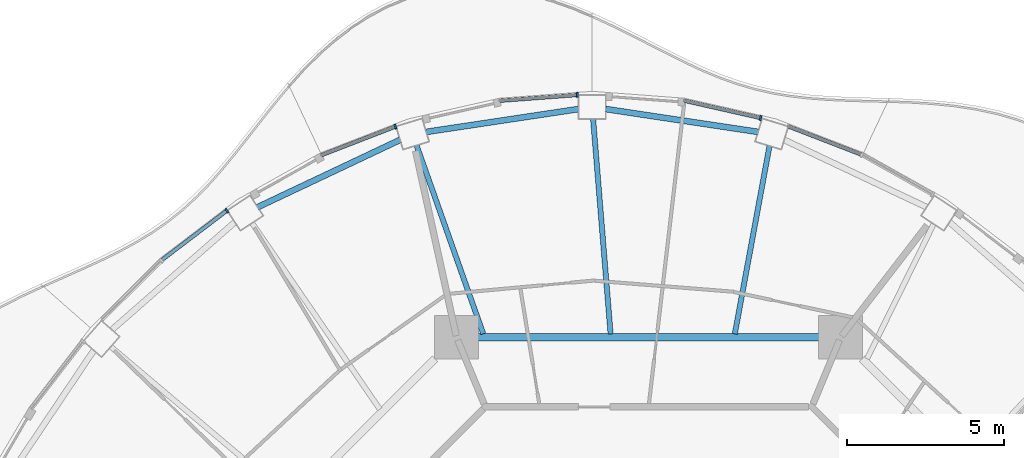
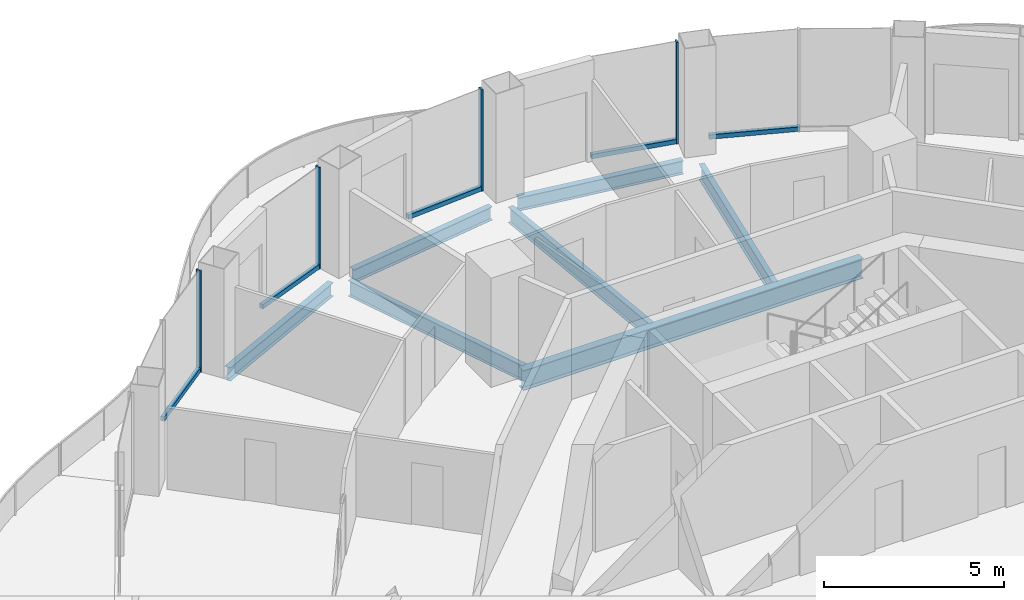
# One storey, part 6 of 17: 9 members, 7 beams, 5 elements without a shape of their own.
"""IFC4 building model written with IfcOpenShell, lengths in metres."""

from ifc_helpers import new_model, si_unit, direction, frame, origin, origin_2d, place, context, subcontext, project, spatial, rectangle, i_section, extrude, material, layer, layer_set, material_profile, profile_set, type_object, element, aggregate, save


model = new_model("IFC4")

# Units and contexts
model_context = context("Model", 3, precision=1e-05, world=origin(), true_north=direction((0.0, 1.0)))
body_context = subcontext(model_context, "Body", "Model", "MODEL_VIEW")
ifc_project = project(units=[si_unit("LENGTHUNIT", "METRE"), si_unit("AREAUNIT", "SQUARE_METRE"), si_unit("VOLUMEUNIT", "CUBIC_METRE"), si_unit("PLANEANGLEUNIT", "RADIAN"), si_unit("MASSUNIT", "GRAM", prefix="KILO")], contexts=[model_context])

# Site, building, storey
site_placement = place(None, origin())
site = spatial("IfcSite", under=ifc_project, at=site_placement, CompositionType="ELEMENT")
building_placement = place(site_placement, origin())
building = spatial("IfcBuilding", under=site, at=building_placement, Name="Nagisa Residences", CompositionType="ELEMENT")
storey_placement = place(building_placement, frame((0.0, 0.0, 280.699951171875)))
storey = spatial("IfcBuildingStorey", under=building, at=storey_placement, Name="L71", CompositionType="ELEMENT", Elevation=280.699951171875)

# Curtain wall, member
ifc_material_1 = material(Name="Concrete-coloured aluminium curtain wall system", Category="concrete")
ifc_layer = layer(ifc_material_1, 0.159912109375)
ifc_layer_set = layer_set([ifc_layer], Name="CW1 CURTAIN WALL")
curtain_wall_type = type_object("IfcCurtainWallType", Name="CW1 CURTAIN WALL", PredefinedType="NOTDEFINED", material=ifc_layer_set)
curtain_wall_1_placement = place(storey_placement, origin())
curtain_wall_1 = element("IfcCurtainWall", 1, at=curtain_wall_1_placement, inside=storey, type_object=curtain_wall_type, Name="cw:CW1:L71:10", PredefinedType="NOTDEFINED")
ifc_material_2 = material(Name="Concrete-coloured aluminium", Category="concrete")
ifc_material_profile_1 = material_profile(ifc_material_2, rectangle(XDim=0.159912109375, YDim=0.06005859375, at=origin_2d()), Name="CW1 MULLION 160x60")
ifc_profile_set_1 = profile_set([ifc_material_profile_1], Name="Concrete-coloured aluminium")
member_type_1 = type_object("IfcMemberType", Name="CW1 MULLION 160x60", PredefinedType="MULLION", material=ifc_profile_set_1)
member_1_placement = place(storey_placement, frame((3.568603515625, 21.773193359375, 0.0), z_axis=(0.0, 0.0, 1.0), x_axis=(-0.2207639201, -0.975327274089, 0.0)))
member_1 = element("IfcMember", 2, at=member_1_placement, type_object=member_type_1, Name="CW1 mullion", PredefinedType="MULLION", context=body_context, shape_type="SweptSolid", body=[
    extrude(rectangle(XDim=0.159912109375, YDim=0.06005859375, at=origin_2d()), origin(), (0.0, 0.0, 1.0), 3.43994140625),
])

curtain_wall_2_placement = place(storey_placement, origin())
curtain_wall_2 = element("IfcCurtainWall", 3, at=curtain_wall_2_placement, inside=storey, type_object=curtain_wall_type, Name="cw:CW1:L71:12", PredefinedType="NOTDEFINED")
member_2_placement = place(storey_placement, frame((-2.272705078125, 22.5068359375, 0.0), z_axis=(0.0, 0.0, 1.0), x_axis=(0.074377355493, -0.997230168512, 0.0)))
member_2 = element("IfcMember", 4, at=member_2_placement, type_object=member_type_1, Name="CW1 mullion", PredefinedType="MULLION", context=body_context, shape_type="SweptSolid", body=[
    extrude(rectangle(XDim=0.159912109375, YDim=0.06005859375, at=origin_2d()), origin(), (0.0, 0.0, 1.0), 3.43994140625),
])

curtain_wall_3_placement = place(storey_placement, origin())
curtain_wall_3 = element("IfcCurtainWall", 5, at=curtain_wall_3_placement, inside=storey, type_object=curtain_wall_type, Name="cw:CW1:L71:14", PredefinedType="NOTDEFINED")
member_3_placement = place(storey_placement, frame((-8.073486328125, 21.49755859375, 0.0), z_axis=(0.0, 0.0, 1.0), x_axis=(0.360327770268, -0.932825759707, 0.0)))
member_3 = element("IfcMember", 6, at=member_3_placement, type_object=member_type_1, Name="CW1 mullion", PredefinedType="MULLION", context=body_context, shape_type="SweptSolid", body=[
    extrude(rectangle(XDim=0.159912109375, YDim=0.06005859375, at=origin_2d()), origin(), (0.0, 0.0, 1.0), 3.43994140625),
])

curtain_wall_4_placement = place(storey_placement, origin())
curtain_wall_4 = element("IfcCurtainWall", 7, at=curtain_wall_4_placement, inside=storey, type_object=curtain_wall_type, Name="cw:CW1:L71:16", PredefinedType="NOTDEFINED")
member_4_placement = place(storey_placement, frame((-13.443603515625, 18.819580078125, 0.0), z_axis=(0.0, 0.0, 1.0), x_axis=(0.605255421737, -0.79603132756, 0.0)))
member_4 = element("IfcMember", 8, at=member_4_placement, type_object=member_type_1, Name="CW1 mullion", PredefinedType="MULLION", context=body_context, shape_type="SweptSolid", body=[
    extrude(rectangle(XDim=0.159912109375, YDim=0.06005859375, at=origin_2d()), origin(), (0.0, 0.0, 1.0), 3.43994140625),
])

curtain_wall_5_placement = place(storey_placement, origin())
curtain_wall_5 = element("IfcCurtainWall", 9, at=curtain_wall_5_placement, inside=storey, type_object=curtain_wall_type, Name="cw:CW1:L71:09", PredefinedType="NOTDEFINED")
ifc_material_3 = material(Name="Concrete-coloured aluminium", Category="concrete")
ifc_material_profile_2 = material_profile(ifc_material_3, rectangle(XDim=0.1201171875, YDim=0.14990234375, at=origin_2d()), Name="CW1 TRANSOM 120x150")
ifc_profile_set_2 = profile_set([ifc_material_profile_2], Name="Concrete-coloured aluminium")
member_type_2 = type_object("IfcMemberType", Name="CW1 TRANSOM 120x150", PredefinedType="USERDEFINED", material=ifc_profile_set_2)
member_5_placement = place(storey_placement, frame((6.827392578125, 20.58837890625, 0.074951171875), z_axis=(-0.93282223778, 0.360336887792, 0.0), x_axis=(-0.360336887792, -0.93282223778, 0.0)))
member_5 = element("IfcMember", 10, at=member_5_placement, type_object=member_type_2, Name="CW1 transom", ObjectType="TRANSOM", PredefinedType="USERDEFINED", context=body_context, shape_type="SweptSolid", body=[
    extrude(rectangle(XDim=0.1201171875, YDim=0.14990234375, at=origin_2d()), origin(), (0.0, 0.0, 1.0), 2.5537109375),
])
aggregate(curtain_wall_5, [member_5])

# Member
member_6_placement = place(storey_placement, frame((3.597900390625, 21.7666015625, 0.074951171875), z_axis=(-0.975340398222, 0.220705930136, 0.0), x_axis=(-0.220705930136, -0.975340398222, 0.0)))
member_6 = element("IfcMember", 11, at=member_6_placement, type_object=member_type_2, Name="CW1 transom", ObjectType="TRANSOM", PredefinedType="USERDEFINED", context=body_context, shape_type="SweptSolid", body=[
    extrude(rectangle(XDim=0.1201171875, YDim=0.14990234375, at=origin_2d()), origin(), (0.0, 0.0, 1.0), 2.525390625),
])

aggregate(curtain_wall_1, [member_1, member_6])

member_7_placement = place(storey_placement, frame((-2.242919921875, 22.509033203125, 0.074951171875), z_axis=(-0.99722914645, -0.074391057731, 0.0), x_axis=(0.074391057731, -0.99722914645, 0.0)))
member_7 = element("IfcMember", 12, at=member_7_placement, type_object=member_type_2, Name="CW1 transom", ObjectType="TRANSOM", PredefinedType="USERDEFINED", context=body_context, shape_type="SweptSolid", body=[
    extrude(rectangle(XDim=0.1201171875, YDim=0.14990234375, at=origin_2d()), origin(), (0.0, 0.0, 1.0), 2.510498046875),
])

aggregate(curtain_wall_2, [member_2, member_7])

member_8_placement = place(storey_placement, frame((-8.04541015625, 21.508544921875, 0.074951171875), z_axis=(-0.93282223778, -0.360336887792, 0.0), x_axis=(0.360336887792, -0.93282223778, 0.0)))
member_8 = element("IfcMember", 13, at=member_8_placement, type_object=member_type_2, Name="CW1 transom", ObjectType="TRANSOM", PredefinedType="USERDEFINED", context=body_context, shape_type="SweptSolid", body=[
    extrude(rectangle(XDim=0.1201171875, YDim=0.14990234375, at=origin_2d()), origin(), (0.0, 0.0, 1.0), 2.5537109375),
])

aggregate(curtain_wall_3, [member_3, member_8])

member_9_placement = place(storey_placement, frame((-13.419677734375, 18.837646484375, 0.074951171875), z_axis=(-0.796055284084, -0.605223912847, 0.0), x_axis=(0.605223912847, -0.796055284084, 0.0)))
member_9 = element("IfcMember", 14, at=member_9_placement, type_object=member_type_2, Name="CW1 transom", ObjectType="TRANSOM", PredefinedType="USERDEFINED", context=body_context, shape_type="SweptSolid", body=[
    extrude(rectangle(XDim=0.1201171875, YDim=0.14990234375, at=origin_2d()), origin(), (0.0, 0.0, 1.0), 2.640625),
])

aggregate(curtain_wall_4, [member_4, member_9])

# Beams
ifc_material_4 = material(Name="Steel ASTM A572 Gr 50", Category="steel")
ifc_material_profile_3 = material_profile(ifc_material_4, i_section(OverallWidth=0.2529296875, OverallDepth=0.677978515625, WebThickness=0.01171875, FlangeThickness=0.016357421875, at=origin_2d()), Name="W690x125")
ifc_profile_set_3 = profile_set([ifc_material_profile_3], Name="Steel ASTM A572 Gr 50")
beam_type_1 = type_object("IfcBeamType", Name="Inner ring beam W690x125", PredefinedType="BEAM", material=ifc_profile_set_3)
beam_1_placement = place(storey_placement, frame((5.44287109375, 14.781982421875, -0.598876953125), z_axis=(-1.0, 0.0, 0.0), x_axis=(0.0, -1.0, 0.0)))
element("IfcBeam", 15, at=beam_1_placement, inside=storey, type_object=beam_type_1, Name="beam:L71:ib2", PredefinedType="BEAM", context=body_context, shape_type="SweptSolid", body=[
    extrude(i_section(OverallWidth=0.2529296875, OverallDepth=0.677978515625, WebThickness=0.01171875, FlangeThickness=0.016357421875, at=origin_2d()), origin(), (0.0, 0.0, 1.0), 10.8857421875),
])
ifc_material_5 = material(Name="Steel ASTM A572 Gr 50", Category="steel")
ifc_material_profile_4 = material_profile(ifc_material_5, i_section(OverallWidth=0.18994140625, OverallDepth=0.45703125, WebThickness=0.009033203125, FlangeThickness=0.014404296875, at=origin_2d()), Name="W460x74")
ifc_profile_set_4 = profile_set([ifc_material_profile_4], Name="Steel ASTM A572 Gr 50")
beam_type_2 = type_object("IfcBeamType", Name="Perimeter ring beam W460x74", PredefinedType="BEAM", material=ifc_profile_set_4)
beam_2_placement = place(storey_placement, frame((3.4951171875, 21.326904296875, -0.488525390625), z_axis=(-0.988907577601, 0.148532161377, 0.0), x_axis=(-0.148532161377, -0.988907577601, 0.0)))
element("IfcBeam", 16, at=beam_2_placement, inside=storey, type_object=beam_type_2, Name="beam:L71:pb06", PredefinedType="BEAM", context=body_context, shape_type="SweptSolid", body=[
    extrude(i_section(OverallWidth=0.18994140625, OverallDepth=0.45703125, WebThickness=0.009033203125, FlangeThickness=0.014404296875, at=origin_2d()), origin(), (0.0, 0.0, 1.0), 4.919677734375),
])
beam_3_placement = place(storey_placement, frame((-2.230224609375, 22.0576171875, -0.488525390625), z_axis=(-0.98890648267, -0.148539451101, 0.0), x_axis=(0.148539451101, -0.98890648267, 0.0)))
element("IfcBeam", 17, at=beam_3_placement, inside=storey, type_object=beam_type_2, Name="beam:L71:pb07", PredefinedType="BEAM", context=body_context, shape_type="SweptSolid", body=[
    extrude(i_section(OverallWidth=0.18994140625, OverallDepth=0.45703125, WebThickness=0.009033203125, FlangeThickness=0.014404296875, at=origin_2d()), origin(), (0.0, 0.0, 1.0), 4.91943359375),
])
beam_4_placement = place(storey_placement, frame((-7.918212890625, 21.076416015625, -0.488525390625), z_axis=(-0.904115893837, -0.427287316113, 0.0), x_axis=(0.427287316113, -0.904115893837, 0.0)))
element("IfcBeam", 18, at=beam_4_placement, inside=storey, type_object=beam_type_2, Name="beam:L71:pb08", PredefinedType="BEAM", context=body_context, shape_type="SweptSolid", body=[
    extrude(i_section(OverallWidth=0.18994140625, OverallDepth=0.45703125, WebThickness=0.009033203125, FlangeThickness=0.014404296875, at=origin_2d()), origin(), (0.0, 0.0, 1.0), 5.031494140625),
])
ifc_material_6 = material(Name="Steel ASTM A572 Gr 50", Category="steel")
ifc_material_profile_5 = material_profile(ifc_material_6, i_section(OverallWidth=0.166015625, OverallDepth=0.534912109375, WebThickness=0.01025390625, FlangeThickness=0.0166015625, at=origin_2d()), Name="W530x85")
ifc_profile_set_5 = profile_set([ifc_material_profile_5], Name="Steel ASTM A572 Gr 50")
beam_type_3 = type_object("IfcBeamType", Name="Radial beam W530x85", PredefinedType="BEAM", material=ifc_profile_set_5)
beam_5_placement = place(storey_placement, frame((3.855712890625, 20.885986328125, -0.52734375), z_axis=(-0.18155164865, -0.983381410681, 0.0), x_axis=(0.983381410681, -0.18155164865, 0.0)))
element("IfcBeam", 19, at=beam_5_placement, inside=storey, type_object=beam_type_3, Name="beam:L71:rb06", PredefinedType="BEAM", context=body_context, shape_type="SweptSolid", body=[
    extrude(i_section(OverallWidth=0.166015625, OverallDepth=0.534912109375, WebThickness=0.01025390625, FlangeThickness=0.0166015625, at=origin_2d()), origin(), (0.0, 0.0, 1.0), 6.098388671875),
])
beam_6_placement = place(storey_placement, frame((-1.76904296875, 21.7421875, -0.52734375), z_axis=(0.081094239996, -0.996706438346, 0.0), x_axis=(0.996706438346, 0.081094239996, 0.0)))
element("IfcBeam", 20, at=beam_6_placement, inside=storey, type_object=beam_type_3, Name="beam:L71:rb07", PredefinedType="BEAM", context=body_context, shape_type="SweptSolid", body=[
    extrude(i_section(OverallWidth=0.166015625, OverallDepth=0.534912109375, WebThickness=0.01025390625, FlangeThickness=0.0166015625, at=origin_2d()), origin(), (0.0, 0.0, 1.0), 6.876220703125),
])
beam_7_placement = place(storey_placement, frame((-7.398193359375, 20.903564453125, -0.52734375), z_axis=(0.333636730814, -0.942701719449, 0.0), x_axis=(0.942701719449, 0.333636730814, 0.0)))
element("IfcBeam", 21, at=beam_7_placement, inside=storey, type_object=beam_type_3, Name="beam:L71:rb08", PredefinedType="BEAM", context=body_context, shape_type="SweptSolid", body=[
    extrude(i_section(OverallWidth=0.166015625, OverallDepth=0.534912109375, WebThickness=0.01025390625, FlangeThickness=0.0166015625, at=origin_2d()), origin(), (0.0, 0.0, 1.0), 6.37939453125),
])

save(model, "model.ifc")
